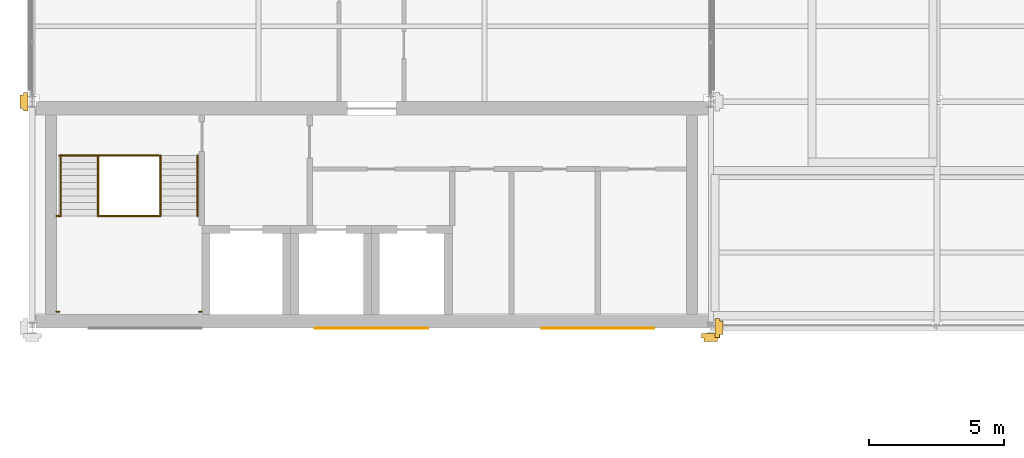
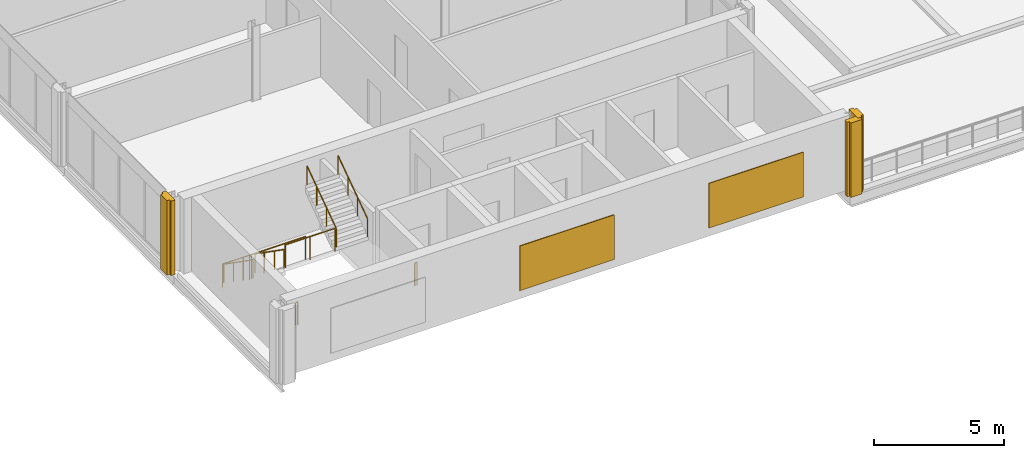
# One storey, part 28 of 32: 9 railings, 5 coverings.
"""IFC4 building model written with IfcOpenShell, lengths in metres."""

import ifcopenshell
import ifcopenshell.guid

model = None  # the IFC model being written
_history = None  # IfcOwnerHistory: only IFC2X3 demands one
_inside = {}  # id of a spatial element -> (the spatial element, [elements in it])
_under = {}  # id of a project, library or spatial element -> (it, [spatial elements below it])
_declared = {}  # id of a project -> (the project, [libraries it declares])
_typed = {}  # id of a type object -> (the type object, [elements of that type])
_made_of = {}  # id of a material, layer set ... -> (it, [elements and type objects made of it])


def new_model(schema):
    """Start an empty IFC model of exactly this schema.

    Asked for "IFC4X3", IfcOpenShell would pick the latest addendum, in which some entities
    have other attributes; the version numbers below select the first issue.
    IFC2X3 requires an IfcOwnerHistory on every rooted entity: one is made here for all.
    """
    global model, _history
    if schema == "IFC4X3":
        model = ifcopenshell.file(schema_version=(4, 3, 0, 0))
    else:
        model = ifcopenshell.file(schema=schema)
    _inside.clear()
    _under.clear()
    _declared.clear()
    _typed.clear()
    _made_of.clear()
    _history = None
    if model.schema == "IFC2X3":
        org = make("IfcOrganization", Name="unknown")
        user = make(
            "IfcPersonAndOrganization",
            ThePerson=make("IfcPerson", FamilyName="unknown"),
            TheOrganization=org,
        )
        app = make(
            "IfcApplication",
            ApplicationDeveloper=org,
            Version="unknown",
            ApplicationFullName="unknown",
            ApplicationIdentifier="unknown",
        )
        _history = make(
            "IfcOwnerHistory",
            OwningUser=user,
            OwningApplication=app,
            ChangeAction="ADDED",
            CreationDate=0,
        )
    return model


def make(cls, **values):
    """One entity of the class cls with the attributes given. An attribute that is None is left unset."""
    return model.create_entity(
        cls, **{name: value for name, value in values.items() if value is not None}
    )


def rooted(cls, **values):
    """An entity with a GlobalId (a new one), such as an element, a storey or a relation."""
    return make(cls, GlobalId=ifcopenshell.guid.new(), OwnerHistory=_history, **values)


def si_unit(unit_type, name, prefix=None):
    """IfcSIUnit, for example si_unit("LENGTHUNIT", "METRE", prefix="MILLI")."""
    return make("IfcSIUnit", UnitType=unit_type, Prefix=prefix, Name=name)


def assignment(units):
    """IfcUnitAssignment: the units of a project."""
    return None if units is None else make("IfcUnitAssignment", Units=units)


def point(xyz):
    """IfcCartesianPoint."""
    return None if xyz is None else make("IfcCartesianPoint", Coordinates=xyz)


def direction(xyz):
    """IfcDirection."""
    return None if xyz is None else make("IfcDirection", DirectionRatios=xyz)


def frame(location, z_axis=None, x_axis=None):
    """IfcAxis2Placement3D, a coordinate frame: its origin and axes. An axis left out is left unset."""
    return make(
        "IfcAxis2Placement3D",
        Location=point(location),
        Axis=direction(z_axis),
        RefDirection=direction(x_axis),
    )


def frame_2d(location, x_axis=None):
    """IfcAxis2Placement2D, a coordinate frame in the plane: its origin and x axis."""
    return make(
        "IfcAxis2Placement2D", Location=point(location), RefDirection=direction(x_axis)
    )


def origin():
    """The frame at (0, 0, 0) with its axes left unset."""
    return frame((0.0, 0.0, 0.0))


def origin_2d():
    """The frame at (0, 0) in the plane with its x axis left unset."""
    return frame_2d((0.0, 0.0))


def place(relative_to, where):
    """IfcLocalPlacement: puts the frame where relative to a parent placement (None: the world)."""
    return make(
        "IfcLocalPlacement", PlacementRelTo=relative_to, RelativePlacement=where
    )


def context(
    kind, dimensions, precision=None, world=None, true_north=None, identifier=None
):
    """IfcGeometricRepresentationContext, for example the 3D "Model" context."""
    return make(
        "IfcGeometricRepresentationContext",
        ContextIdentifier=identifier,
        ContextType=kind,
        CoordinateSpaceDimension=dimensions,
        Precision=precision,
        WorldCoordinateSystem=world,
        TrueNorth=true_north,
    )


def subcontext(parent, identifier, kind, view, scale=None):
    """IfcGeometricRepresentationSubContext, for example "Body" below "Model"."""
    return make(
        "IfcGeometricRepresentationSubContext",
        ContextIdentifier=identifier,
        ContextType=kind,
        ParentContext=parent,
        TargetScale=scale,
        TargetView=view,
    )


def project(units=None, contexts=None):
    """IfcProject with its units and contexts."""
    return rooted(
        "IfcProject",
        Name="project",
        RepresentationContexts=contexts,
        UnitsInContext=assignment(units),
    )


def spatial(cls, under=None, at=None, **own):
    """A site, building, storey or space (cls), placed at a placement, below another one or the project."""
    s = rooted(cls, ObjectPlacement=at, **own)
    if under is not None:
        _under.setdefault(under.id(), (under, []))[1].append(s)
    return s


def polyline(points):
    """IfcPolyline through the points."""
    return make("IfcPolyline", Points=[point(p) for p in points])


def profile(cls, at=None, kind="AREA", **sizes):
    """A parametric profile (cls). Its sizes go by their IFC names, for example OverallWidth=200.0."""
    return make(cls, ProfileType=kind, Position=at, **sizes)


def rectangle(**sizes):
    """IfcRectangleProfileDef."""
    return profile("IfcRectangleProfileDef", **sizes)


def circle(**sizes):
    """IfcCircleProfileDef."""
    return profile("IfcCircleProfileDef", **sizes)


def outline(outer, holes=None, kind="AREA"):
    """IfcArbitraryClosedProfileDef: a profile drawn as a closed curve; with holes, ...WithVoids."""
    if holes is None:
        return make("IfcArbitraryClosedProfileDef", ProfileType=kind, OuterCurve=outer)
    return make(
        "IfcArbitraryProfileDefWithVoids",
        ProfileType=kind,
        OuterCurve=outer,
        InnerCurves=holes,
    )


def extrude(swept, where, along, depth):
    """IfcExtrudedAreaSolid: the profile swept, set in the frame where, extruded along a direction by depth."""
    return make(
        "IfcExtrudedAreaSolid",
        SweptArea=swept,
        Position=where,
        ExtrudedDirection=direction(along),
        Depth=depth,
    )


def shape(context_of_items, identifier, shape_type, items):
    """IfcShapeRepresentation: the items that make up one representation, for example the "Body"."""
    return make(
        "IfcShapeRepresentation",
        ContextOfItems=context_of_items,
        RepresentationIdentifier=identifier,
        RepresentationType=shape_type,
        Items=items,
    )


def material(Name=None, Category=None):
    """IfcMaterial."""
    return make("IfcMaterial", Name=Name, Category=Category)


def layer(
    of_material, thickness, ventilated=None, Name=None, Category=None, Priority=None
):
    """IfcMaterialLayer: one layer of a wall or slab, of a material (None: an air gap)."""
    return make(
        "IfcMaterialLayer",
        Material=of_material,
        LayerThickness=thickness,
        IsVentilated=ventilated,
        Name=Name,
        Category=Category,
        Priority=Priority,
    )


def layer_set(layers, Name=None):
    """IfcMaterialLayerSet."""
    return make("IfcMaterialLayerSet", MaterialLayers=layers, LayerSetName=Name)


def made_of(thing, what):
    """Note that an element or type object is made of a material, layer set ...; save() writes the relation."""
    if what is not None:
        _made_of.setdefault(what.id(), (what, []))[1].append(thing)
    return thing


def type_object(cls, material=None, **own):
    """A type object (cls), such as IfcWallType, which elements share."""
    return made_of(rooted(cls, **own), material)


def element(
    cls,
    number,
    at=None,
    inside=None,
    cuts=None,
    type_object=None,
    material=None,
    context=None,
    identifier="Body",
    shape_type=None,
    held_by="IfcProductDefinitionShape",
    body=None,
    shapes=None,
    **own,
):
    """One element of the class cls, such as IfcWall. Its Tag is "e" and its number.

    at: its placement. inside: the storey or other place that contains it. cuts: it is an
    opening in that element (IfcRelVoidsElement). A single representation is given by context,
    identifier, shape_type and body (its items); several are given by shapes. held_by: the class
    of the entity that holds the representations. save() writes the other relations.
    """
    e = rooted(cls, Tag="e%d" % number, ObjectPlacement=at, **own)
    if body is not None:
        shapes = [shape(context, identifier, shape_type, body)]
    if shapes is not None:
        e.Representation = make(held_by, Representations=shapes)
    if inside is not None:
        _inside.setdefault(inside.id(), (inside, []))[1].append(e)
    if cuts is not None:
        rooted(
            "IfcRelVoidsElement", RelatingBuildingElement=cuts, RelatedOpeningElement=e
        )
    if type_object is not None:
        _typed.setdefault(type_object.id(), (type_object, []))[1].append(e)
    return made_of(e, material)


def aggregate(whole, parts):
    """IfcRelAggregates: a whole, such as a stair, and the parts it consists of."""
    return rooted("IfcRelAggregates", RelatingObject=whole, RelatedObjects=parts)


def save(model, path):
    """Write the relations noted so far, then the file.

    IfcRelAggregates (storeys below a building ...), IfcRelContainedInSpatialStructure (elements
    in a storey), IfcRelDefinesByType, IfcRelAssociatesMaterial and IfcRelDeclares: one each for
    every whole, place, type object, material and project.
    """
    for whole, parts in _under.values():
        aggregate(whole, parts)
    for where, things in _inside.values():
        rooted(
            "IfcRelContainedInSpatialStructure",
            RelatedElements=things,
            RelatingStructure=where,
        )
    for kind, things in _typed.values():
        rooted("IfcRelDefinesByType", RelatedObjects=things, RelatingType=kind)
    for what, things in _made_of.values():
        rooted("IfcRelAssociatesMaterial", RelatedObjects=things, RelatingMaterial=what)
    for by, libraries in _declared.values():
        rooted("IfcRelDeclares", RelatingContext=by, RelatedDefinitions=libraries)
    model.write(path)


model = new_model("IFC4")

# Units and contexts
model_context = context("Model", 3, precision=1e-05, world=origin(), true_north=direction((0.0, 1.0)))
body_context = subcontext(model_context, "Body", "Model", "MODEL_VIEW")
ifc_project = project(units=[si_unit("LENGTHUNIT", "METRE"), si_unit("AREAUNIT", "SQUARE_METRE"), si_unit("VOLUMEUNIT", "CUBIC_METRE"), si_unit("PLANEANGLEUNIT", "RADIAN"), si_unit("MASSUNIT", "GRAM", prefix="KILO")], contexts=[model_context])

# Site, building, storey
site_placement = place(None, origin())
site = spatial("IfcSite", under=ifc_project, at=site_placement, CompositionType="ELEMENT")
building_placement = place(site_placement, origin())
building = spatial("IfcBuilding", under=site, at=building_placement, Name="Catenary Quay Ferry Terminal", CompositionType="ELEMENT")
storey_placement = place(building_placement, frame((0.0, 0.0, 17.10009765625)))
storey = spatial("IfcBuildingStorey", under=building, at=storey_placement, Name="L03", CompositionType="ELEMENT", Elevation=17.10009765625)

# Coverings
ifc_material_1 = material(Name="Ceramic tile")
ifc_layer_1 = layer(ifc_material_1, 0.0400390625)
ifc_layer_set_1 = layer_set([ifc_layer_1], Name="CL2")
covering_type_1 = type_object("IfcCoveringType", Name="CL2", PredefinedType="CLADDING", material=ifc_layer_set_1)
covering_1_placement = place(storey_placement, origin())
element("IfcCovering", 1, at=covering_1_placement, inside=storey, type_object=covering_type_1, Name="Ceramic pier casing", PredefinedType="CLADDING", context=body_context, shape_type="SweptSolid", body=[
    extrude(outline(polyline([(25.050048828125, 168.35009765625), (24.8701171875, 168.35009765625), (24.8701171875, 168.25), (24.75, 168.25), (24.75, 167.75), (24.8701171875, 167.75), (24.8701171875, 167.64990234375), (25.050048828125, 167.64990234375), (25.050048828125, 168.35009765625)])), origin(), (0.0, 0.0, 1.0), 3.5),
])
covering_2_placement = place(storey_placement, origin())
element("IfcCovering", 2, at=covering_2_placement, inside=storey, type_object=covering_type_1, Name="Ceramic pier casing", PredefinedType="CLADDING", context=body_context, shape_type="SweptSolid", body=[
    extrude(outline(polyline([(50.550048828125, 159.25), (50.72998046875, 159.25), (50.72998046875, 159.35009765625), (50.85009765625, 159.35009765625), (50.85009765625, 159.85009765625), (50.72998046875, 159.85009765625), (50.72998046875, 159.949951171875), (50.550048828125, 159.949951171875), (50.550048828125, 159.25)])), origin(), (0.0, 0.0, 1.0), 3.5),
])
covering_3_placement = place(storey_placement, origin())
element("IfcCovering", 3, at=covering_3_placement, inside=storey, type_object=covering_type_1, Name="Ceramic pier casing", PredefinedType="CLADDING", context=body_context, shape_type="SweptSolid", body=[
    extrude(outline(polyline([(50.050048828125, 159.39990234375), (50.050048828125, 159.219970703125), (50.14990234375, 159.219970703125), (50.14990234375, 159.10009765625), (50.64990234375, 159.10009765625), (50.64990234375, 159.219970703125), (50.75, 159.219970703125), (50.75, 159.39990234375), (50.050048828125, 159.39990234375)])), origin(), (0.0, 0.0, 1.0), 3.5),
])
ifc_material_2 = material(Name="Ceramic tile")
ifc_layer_2 = layer(ifc_material_2, 0.034912109375)
ifc_layer_set_2 = layer_set([ifc_layer_2], Name="CL5")
covering_type_2 = type_object("IfcCoveringType", Name="CL5", PredefinedType="CLADDING", material=ifc_layer_set_2)
for number, where, z_axis, x_axis, name in (
    (4, (37.800048828125, 159.58251953125, 0.39990234375), (0.0, 0.0, 1.0), (1.0, 0.0, 0.0), "Core h159.6 cladding CV358"),
    (5, (46.199951171875, 159.58251953125, 0.39990234375), (0.0, 0.0, 1.0), (1.0, 0.0, 0.0), "Core h159.6 cladding CV359"),
):
    element("IfcCovering", number, at=place(storey_placement, frame(where, z_axis=z_axis, x_axis=x_axis)), inside=storey, type_object=covering_type_2, Name=name, PredefinedType="CLADDING", context=body_context, shape_type="SweptSolid", body=[
        extrude(rectangle(XDim=4.199951171875, YDim=0.034912109375, at=origin_2d()), origin(), (0.0, 0.0, 1.0), 2.10009765625),
    ])

# Railings
ifc_material_3 = material(Name="Steel and glass", Category="steel")
railing_type_1 = type_object("IfcRailingType", Name="GI1", PredefinedType="GUARDRAIL", material=ifc_material_3)
railing_1_placement = place(storey_placement, frame((26.199951171875, 166.0, 0.0)))
element("IfcRailing", 6, at=railing_1_placement, inside=storey, type_object=railing_type_1, Name="HS2 well guard GI152", PredefinedType="GUARDRAIL", context=body_context, shape_type="SweptSolid", body=[
    extrude(circle(Radius=0.02392578125, at=origin_2d()), frame((0.0, 0.0, 1.076171875), z_axis=(1.0, 0.0, 0.0), x_axis=(0.0, 1.0, 0.0)), (0.0, 0.0, 1.0), 3.699951171875),
    extrude(circle(Radius=0.02099609375, at=origin_2d()), origin(), (0.0, 0.0, 1.0), 1.052001953125),
    extrude(circle(Radius=0.02099609375, at=origin_2d()), frame((0.925048828125, 0.0, 0.0)), (0.0, 0.0, 1.0), 1.052001953125),
    extrude(circle(Radius=0.02099609375, at=origin_2d()), frame((1.85009765625, 0.0, 0.0)), (0.0, 0.0, 1.0), 1.052001953125),
    extrude(circle(Radius=0.02099609375, at=origin_2d()), frame((2.77490234375, 0.0, 0.0)), (0.0, 0.0, 1.0), 1.052001953125),
    extrude(circle(Radius=0.02099609375, at=origin_2d()), frame((3.699951171875, 0.0, 0.0)), (0.0, 0.0, 1.0), 1.052001953125),
])
railing_2_placement = place(storey_placement, frame((27.699951171875, 163.75, 1.75)))
element("IfcRailing", 7, at=railing_2_placement, inside=storey, type_object=railing_type_1, Name="HS2 landing guard GI167", PredefinedType="GUARDRAIL", context=body_context, shape_type="SweptSolid", body=[
    extrude(circle(Radius=0.02392578125, at=origin_2d()), frame((0.0, 0.0, 1.076171875), z_axis=(1.0, 0.0, 0.0), x_axis=(0.0, 1.0, 0.0)), (0.0, 0.0, 1.0), 2.199951171875),
    extrude(circle(Radius=0.02099609375, at=origin_2d()), origin(), (0.0, 0.0, 1.0), 1.052001953125),
    extrude(circle(Radius=0.02099609375, at=origin_2d()), frame((1.10009765625, 0.0, 0.0)), (0.0, 0.0, 1.0), 1.052001953125),
    extrude(circle(Radius=0.02099609375, at=origin_2d()), frame((2.199951171875, 0.0, 0.0)), (0.0, 0.0, 1.0), 1.052001953125),
])
railing_3_placement = place(storey_placement, frame((26.10009765625, 163.75, 1.75)))
element("IfcRailing", 8, at=railing_3_placement, inside=storey, type_object=railing_type_1, Name="HS2 strip 0 guard GI168", PredefinedType="GUARDRAIL", context=body_context, shape_type="SweptSolid", body=[
    extrude(circle(Radius=0.02392578125, at=origin_2d()), frame((0.0, 0.0, 1.076171875), z_axis=(1.0, 0.0, 0.0), x_axis=(0.0, 1.0, 0.0)), (0.0, 0.0, 1.0), 0.099853515625),
    extrude(circle(Radius=0.02099609375, at=origin_2d()), origin(), (0.0, 0.0, 1.0), 1.052001953125),
    extrude(circle(Radius=0.02099609375, at=origin_2d()), frame((0.099853515625, 0.0, 0.0)), (0.0, 0.0, 1.0), 1.052001953125),
])
for number, where, name in (
    (9, (26.199951171875, 160.199951171875, 1.75), "HS2 strip 0 guard GI169"),
    (10, (31.5, 160.199951171875, 1.75), "HS2 strip 0 guard GI170"),
):
    element("IfcRailing", number, at=place(storey_placement, frame(where)), inside=storey, type_object=railing_type_1, Name=name, PredefinedType="GUARDRAIL", context=body_context, shape_type="SweptSolid", body=[
        extrude(circle(Radius=0.02392578125, at=origin_2d()), frame((0.0, 0.0, 1.076171875), z_axis=(-1.0, 0.0, 0.0), x_axis=(0.0, -1.0, 0.0)), (0.0, 0.0, 1.0), 0.099853515625),
        extrude(circle(Radius=0.02099609375, at=origin_2d()), origin(), (0.0, 0.0, 1.0), 1.052001953125),
        extrude(circle(Radius=0.02099609375, at=origin_2d()), frame((-0.099853515625, 0.0, 0.0)), (0.0, 0.0, 1.0), 1.052001953125),
    ])
ifc_material_4 = material(Name="Stainless steel", Category="steel")
railing_type_2 = type_object("IfcRailingType", Name="HR1", PredefinedType="HANDRAIL", material=ifc_material_4)
for number, where, name in (
    (11, (26.260009765625, 166.0, 0.1748046875), "HS2 F1A handrail HR162"),
    (12, (27.639892578125, 166.0, 0.1748046875), "HS2 F1B handrail HR163"),
):
    element("IfcRailing", number, at=place(storey_placement, frame(where)), inside=storey, type_object=railing_type_2, Name=name, PredefinedType="HANDRAIL", context=body_context, shape_type="SweptSolid", body=[
        extrude(circle(Radius=0.02392578125, at=origin_2d()), frame((0.0, 0.0, 0.8759765625), z_axis=(0.0, -0.819198511285, 0.573510068881), x_axis=(1.0, 0.0, 0.0)), (0.0, 0.0, 1.0), 2.74658203125),
        extrude(circle(Radius=0.02099609375, at=origin_2d()), origin(), (0.0, 0.0, 1.0), 0.851806640625),
        extrude(circle(Radius=0.02099609375, at=origin_2d()), frame((0.0, -0.75, 0.525146484375)), (0.0, 0.0, 1.0), 0.851806640625),
        extrude(circle(Radius=0.02099609375, at=origin_2d()), frame((0.0, -1.5, 1.050048828125)), (0.0, 0.0, 1.0), 0.851806640625),
        extrude(circle(Radius=0.02099609375, at=origin_2d()), frame((0.0, -2.25, 1.5751953125)), (0.0, 0.0, 1.0), 0.851806640625),
    ])
for number, where, name in (
    (13, (29.9599609375, 163.75, 1.9248046875), "HS2 F2A handrail HR164"),
    (14, (31.340087890625, 163.75, 1.9248046875), "HS2 F2B handrail HR165"),
):
    element("IfcRailing", number, at=place(storey_placement, frame(where)), inside=storey, type_object=railing_type_2, Name=name, PredefinedType="HANDRAIL", context=body_context, shape_type="SweptSolid", body=[
        extrude(circle(Radius=0.02392578125, at=origin_2d()), frame((0.0, 0.0, 0.8759765625), z_axis=(0.0, 0.819198511285, 0.573510068881), x_axis=(-1.0, 0.0, 0.0)), (0.0, 0.0, 1.0), 2.74658203125),
        extrude(circle(Radius=0.02099609375, at=origin_2d()), origin(), (0.0, 0.0, 1.0), 0.851806640625),
        extrude(circle(Radius=0.02099609375, at=origin_2d()), frame((0.0, 0.75, 0.525146484375)), (0.0, 0.0, 1.0), 0.851806640625),
        extrude(circle(Radius=0.02099609375, at=origin_2d()), frame((0.0, 1.5, 1.050048828125)), (0.0, 0.0, 1.0), 0.851806640625),
        extrude(circle(Radius=0.02099609375, at=origin_2d()), frame((0.0, 2.25, 1.5751953125)), (0.0, 0.0, 1.0), 0.851806640625),
    ])

save(model, "model.ifc")
